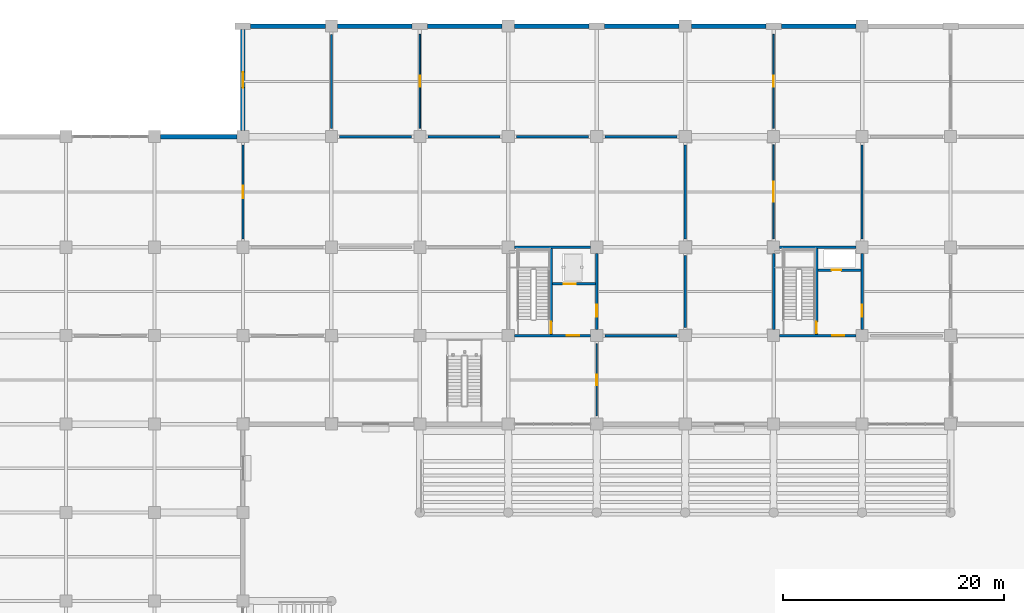
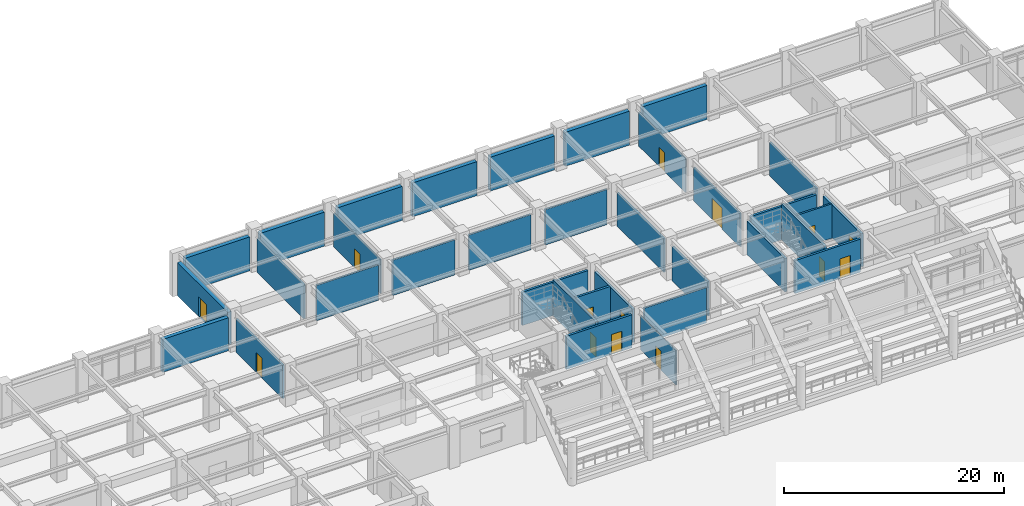
# One storey, part 90 of 125: 34 walls, 14 doors, 14 openings.
"""IFC4 building model written with IfcOpenShell, lengths in metres."""

from ifc_helpers import new_model, si_unit, direction, frame, frame_2d, origin, place, context, subcontext, project, spatial, rectangle, extrude, material, layer, layer_set, type_object, element, fill, save


model = new_model("IFC4")

# Units and contexts
model_context = context("Model", 3, precision=1e-05, world=origin(), true_north=direction((0.0, 1.0)))
body_context = subcontext(model_context, "Body", "Model", "MODEL_VIEW")
ifc_project = project(units=[si_unit("LENGTHUNIT", "METRE"), si_unit("AREAUNIT", "SQUARE_METRE"), si_unit("VOLUMEUNIT", "CUBIC_METRE"), si_unit("PLANEANGLEUNIT", "RADIAN"), si_unit("MASSUNIT", "GRAM", prefix="KILO")], contexts=[model_context])

# Site, building, storey
site_placement = place(None, origin())
site = spatial("IfcSite", under=ifc_project, at=site_placement, CompositionType="ELEMENT")
building_placement = place(site_placement, origin())
building = spatial("IfcBuilding", under=site, at=building_placement, Name="Haebicheon Civic Stadium", CompositionType="ELEMENT")
storey_placement = place(building_placement, origin())
storey = spatial("IfcBuildingStorey", under=building, at=storey_placement, Name="L01", CompositionType="ELEMENT", Elevation=0.0)

# Wall, opening, door
ifc_material_1 = material(Name="Concrete C40/50", Category="concrete")
ifc_layer_1 = layer(ifc_material_1, 0.239990234375, Name="Concrete C40/50")
ifc_layer_set_1 = layer_set([ifc_layer_1], Name="Concrete C40/50")
wall_type_1 = type_object("IfcWallType", Name="CW-SHR-240", PredefinedType="SHEAR", material=ifc_layer_set_1)
wall_1_placement = place(storey_placement, frame((88.550048828125, 160.0, 0.0), z_axis=(0.0, 0.0, 1.0), x_axis=(1.0, 0.0, 0.0)))
wall_1 = element("IfcWall", 1, at=wall_1_placement, inside=storey, type_object=wall_type_1, material=ifc_layer_set_1, Name="KC-08 L01 south core shear wall", PredefinedType="SHEAR", context=body_context, shape_type="SweptSolid", body=[
    extrude(rectangle(XDim=6.89990234375, YDim=0.239990234375, at=frame_2d((3.449951171875, 0.0))), origin(), (0.0, 0.0, 1.0), 3.659912109375),
])
opening_1_placement = place(wall_1_placement, frame((4.75, 0.0, 0.0)))
opening_1 = element("IfcOpeningElement", 2, at=opening_1_placement, cuts=wall_1, Name="Opening D-L01-KC-08-LOB", PredefinedType="OPENING", context=body_context, shape_type="SweptSolid", body=[
    extrude(rectangle(XDim=1.10009765625, YDim=2.199951171875, at=frame_2d((0.550048828125, 1.10009765625))), frame((0.0, 0.1298828125, 0.0), z_axis=(0.0, -1.0, 0.0), x_axis=(1.0, 0.0, 0.0)), (0.0, 0.0, 1.0), 0.260009765625),
])
ifc_material_2 = material(Name="Galvanised painted steel SM355", Category="steel")
door_type_1 = type_object("IfcDoorType", Name="ID-FD-1100", OperationType="NOTDEFINED", PredefinedType="DOOR", material=ifc_material_2)
door_1_placement = place(opening_1_placement, origin())
door_1 = element("IfcDoor", 3, at=door_1_placement, inside=storey, type_object=door_type_1, material=ifc_material_2, Name="L01 KC-08 lobby fire door", OperationType="SINGLE_SWING_RIGHT", OverallHeight=2.199951171875, OverallWidth=1.10009765625, PredefinedType="DOOR", context=body_context, shape_type="SweptSolid", body=[
    extrude(rectangle(XDim=1.10009765625, YDim=2.199951171875, at=frame_2d((0.550048828125, 1.10009765625))), frame((0.0, 0.02490234375, 0.0), z_axis=(0.0, -1.0, 0.0), x_axis=(1.0, 0.0, 0.0)), (0.0, 0.0, 1.0), 0.050048828125),
])
fill(opening_1, door_1)

# Wall
wall_2_placement = place(storey_placement, frame((88.550048828125, 168.0, 0.0), z_axis=(0.0, 0.0, 1.0), x_axis=(1.0, 0.0, 0.0)))
element("IfcWall", 4, at=wall_2_placement, inside=storey, type_object=wall_type_1, material=ifc_layer_set_1, Name="KC-08 L01 north core shear wall", PredefinedType="SHEAR", context=body_context, shape_type="SweptSolid", body=[
    extrude(rectangle(XDim=6.89990234375, YDim=0.239990234375, at=frame_2d((3.449951171875, 0.0))), origin(), (0.0, 0.0, 1.0), 3.7099609375),
])

# Wall, opening, door
wall_3_placement = place(storey_placement, frame((96.0, 160.550048828125, 0.0), z_axis=(0.0, 0.0, 1.0), x_axis=(0.0, 1.0, 0.0)))
wall_3 = element("IfcWall", 5, at=wall_3_placement, inside=storey, type_object=wall_type_1, material=ifc_layer_set_1, Name="KC-08 L01 east core shear wall", PredefinedType="SHEAR", context=body_context, shape_type="SweptSolid", body=[
    extrude(rectangle(XDim=6.89990234375, YDim=0.239990234375, at=frame_2d((3.449951171875, 0.0))), origin(), (0.0, 0.0, 1.0), 3.7099609375),
])
opening_2_placement = place(wall_3_placement, frame((1.14990234375, 0.0, 0.0)))
opening_2 = element("IfcOpeningElement", 6, at=opening_2_placement, cuts=wall_3, Name="Opening D-L01-KC-08-PXP", PredefinedType="OPENING", context=body_context, shape_type="SweptSolid", body=[
    extrude(rectangle(XDim=1.10009765625, YDim=2.199951171875, at=frame_2d((0.550048828125, 1.10009765625))), frame((0.0, 0.1298828125, 0.0), z_axis=(0.0, -1.0, 0.0), x_axis=(1.0, 0.0, 0.0)), (0.0, 0.0, 1.0), 0.260009765625),
])
door_2_placement = place(opening_2_placement, origin())
door_2 = element("IfcDoor", 7, at=door_2_placement, inside=storey, type_object=door_type_1, material=ifc_material_2, Name="L01 KC-08 protected exit passage fire door", OperationType="SINGLE_SWING_LEFT", OverallHeight=2.199951171875, OverallWidth=1.10009765625, PredefinedType="DOOR", context=body_context, shape_type="SweptSolid", body=[
    extrude(rectangle(XDim=1.10009765625, YDim=2.199951171875, at=frame_2d((0.550048828125, 1.10009765625))), frame((0.0, 0.02490234375, 0.0), z_axis=(0.0, -1.0, 0.0), x_axis=(1.0, 0.0, 0.0)), (0.0, 0.0, 1.0), 0.050048828125),
])
fill(opening_2, door_2)

wall_4_placement = place(storey_placement, frame((91.8798828125, 160.1201171875, 0.0), z_axis=(0.0, 0.0, 1.0), x_axis=(0.0, 1.0, 0.0)))
wall_4 = element("IfcWall", 8, at=wall_4_placement, inside=storey, type_object=wall_type_1, material=ifc_layer_set_1, Name="KC-08 L01 stair-lobby dividing shear wall", PredefinedType="SHEAR", context=body_context, shape_type="SweptSolid", body=[
    extrude(rectangle(XDim=7.759765625, YDim=0.239990234375, at=frame_2d((3.8798828125, 0.0))), origin(), (0.0, 0.0, 1.0), 4.010009765625),
])
opening_3_placement = place(wall_4_placement, frame((0.080078125, 0.0, 0.0)))
opening_3 = element("IfcOpeningElement", 9, at=opening_3_placement, cuts=wall_4, Name="Opening D-L01-KC-08-STR", PredefinedType="OPENING", context=body_context, shape_type="SweptSolid", body=[
    extrude(rectangle(XDim=1.050048828125, YDim=2.14990234375, at=frame_2d((0.52490234375, 1.074951171875))), frame((0.0, 0.1298828125, 0.0), z_axis=(0.0, -1.0, 0.0), x_axis=(1.0, 0.0, 0.0)), (0.0, 0.0, 1.0), 0.260009765625),
])
ifc_material_3 = material(Name="Galvanised painted steel SM355", Category="steel")
door_type_2 = type_object("IfcDoorType", Name="ID-FD-1050", OperationType="NOTDEFINED", PredefinedType="DOOR", material=ifc_material_3)
door_3_placement = place(opening_3_placement, origin())
door_3 = element("IfcDoor", 10, at=door_3_placement, inside=storey, type_object=door_type_2, material=ifc_material_3, Name="L01 ST-08 stairwell escape door", OperationType="SINGLE_SWING_RIGHT", OverallHeight=2.14990234375, OverallWidth=1.050048828125, PredefinedType="DOOR", context=body_context, shape_type="SweptSolid", body=[
    extrude(rectangle(XDim=1.050048828125, YDim=2.14990234375, at=frame_2d((0.52490234375, 1.074951171875))), frame((0.0, 0.02490234375, 0.0), z_axis=(0.0, -1.0, 0.0), x_axis=(1.0, 0.0, 0.0)), (0.0, 0.0, 1.0), 0.050048828125),
])
fill(opening_3, door_3)

wall_5_placement = place(storey_placement, frame((92.0, 164.679931640625, 0.0), z_axis=(0.0, 0.0, 1.0), x_axis=(1.0, 0.0, 0.0)))
wall_5 = element("IfcWall", 11, at=wall_5_placement, inside=storey, type_object=wall_type_1, material=ifc_layer_set_1, Name="KC-08 L01 lift shaft front wall", PredefinedType="SHEAR", context=body_context, shape_type="SweptSolid", body=[
    extrude(rectangle(XDim=3.8798828125, YDim=0.239990234375, at=frame_2d((1.93994140625, 0.0))), origin(), (0.0, 0.0, 1.0), 3.81005859375),
])
opening_4_placement = place(wall_5_placement, frame((1.0, 0.0, 0.0)))
opening_4 = element("IfcOpeningElement", 12, at=opening_4_placement, cuts=wall_5, Name="Opening LD-06-L01", PredefinedType="OPENING", context=body_context, shape_type="SweptSolid", body=[
    extrude(rectangle(XDim=1.10009765625, YDim=2.14990234375, at=frame_2d((0.550048828125, 1.074951171875))), frame((0.0, 0.1298828125, 0.0), z_axis=(0.0, -1.0, 0.0), x_axis=(1.0, 0.0, 0.0)), (0.0, 0.0, 1.0), 0.260009765625),
])
ifc_material_4 = material(Name="Stainless steel 316", Category="steel")
door_type_3 = type_object("IfcDoorType", Name="ID-LD-1100", OperationType="NOTDEFINED", PredefinedType="DOOR", material=ifc_material_4)
door_4_placement = place(opening_4_placement, origin())
door_4 = element("IfcDoor", 13, at=door_4_placement, inside=storey, type_object=door_type_3, material=ifc_material_4, Name="LF-06 lift landing sliding door L01", OperationType="SLIDING_TO_LEFT", OverallHeight=2.14990234375, OverallWidth=1.10009765625, PredefinedType="DOOR", context=body_context, shape_type="SweptSolid", body=[
    extrude(rectangle(XDim=1.10009765625, YDim=2.14990234375, at=frame_2d((0.550048828125, 1.074951171875))), frame((0.0, 0.02490234375, 0.0), z_axis=(0.0, -1.0, 0.0), x_axis=(1.0, 0.0, 0.0)), (0.0, 0.0, 1.0), 0.050048828125),
])
fill(opening_4, door_4)

wall_6_placement = place(storey_placement, frame((112.550048828125, 160.0, 0.0), z_axis=(0.0, 0.0, 1.0), x_axis=(1.0, 0.0, 0.0)))
wall_6 = element("IfcWall", 14, at=wall_6_placement, inside=storey, type_object=wall_type_1, material=ifc_layer_set_1, Name="KC-09 L01 south core shear wall", PredefinedType="SHEAR", context=body_context, shape_type="SweptSolid", body=[
    extrude(rectangle(XDim=6.89990234375, YDim=0.239990234375, at=frame_2d((3.449951171875, 0.0))), origin(), (0.0, 0.0, 1.0), 3.659912109375),
])
opening_5_placement = place(wall_6_placement, frame((4.75, 0.0, 0.0)))
opening_5 = element("IfcOpeningElement", 15, at=opening_5_placement, cuts=wall_6, Name="Opening D-L01-KC-09-LOB", PredefinedType="OPENING", context=body_context, shape_type="SweptSolid", body=[
    extrude(rectangle(XDim=1.10009765625, YDim=2.199951171875, at=frame_2d((0.550048828125, 1.10009765625))), frame((0.0, 0.1298828125, 0.0), z_axis=(0.0, -1.0, 0.0), x_axis=(1.0, 0.0, 0.0)), (0.0, 0.0, 1.0), 0.260009765625),
])
door_5_placement = place(opening_5_placement, origin())
door_5 = element("IfcDoor", 16, at=door_5_placement, inside=storey, type_object=door_type_1, material=ifc_material_2, Name="L01 KC-09 lobby fire door", OperationType="SINGLE_SWING_RIGHT", OverallHeight=2.199951171875, OverallWidth=1.10009765625, PredefinedType="DOOR", context=body_context, shape_type="SweptSolid", body=[
    extrude(rectangle(XDim=1.10009765625, YDim=2.199951171875, at=frame_2d((0.550048828125, 1.10009765625))), frame((0.0, 0.02490234375, 0.0), z_axis=(0.0, -1.0, 0.0), x_axis=(1.0, 0.0, 0.0)), (0.0, 0.0, 1.0), 0.050048828125),
])
fill(opening_5, door_5)

# Walls
for number, where, z_axis, x_axis, name in (
    (17, (112.550048828125, 168.0, 0.0), (0.0, 0.0, 1.0), (1.0, 0.0, 0.0), "KC-09 L01 north core shear wall"),
    (18, (112.0, 160.550048828125, 0.0), (0.0, 0.0, 1.0), (0.0, 1.0, 0.0), "KC-09 L01 west core shear wall"),
):
    element("IfcWall", number, at=place(storey_placement, frame(where, z_axis=z_axis, x_axis=x_axis)), inside=storey, type_object=wall_type_1, material=ifc_layer_set_1, Name=name, PredefinedType="SHEAR", context=body_context, shape_type="SweptSolid", body=[
        extrude(rectangle(XDim=6.89990234375, YDim=0.239990234375, at=frame_2d((3.449951171875, 0.0))), origin(), (0.0, 0.0, 1.0), 3.7099609375),
    ])

# Wall, opening, door
wall_7_placement = place(storey_placement, frame((120.0, 160.550048828125, 0.0), z_axis=(0.0, 0.0, 1.0), x_axis=(0.0, 1.0, 0.0)))
wall_7 = element("IfcWall", 19, at=wall_7_placement, inside=storey, type_object=wall_type_1, material=ifc_layer_set_1, Name="KC-09 L01 east core shear wall", PredefinedType="SHEAR", context=body_context, shape_type="SweptSolid", body=[
    extrude(rectangle(XDim=6.89990234375, YDim=0.239990234375, at=frame_2d((3.449951171875, 0.0))), origin(), (0.0, 0.0, 1.0), 3.659912109375),
])
opening_6_placement = place(wall_7_placement, frame((1.14990234375, 0.0, 0.0)))
opening_6 = element("IfcOpeningElement", 20, at=opening_6_placement, cuts=wall_7, Name="Opening D-L01-KC-09-PXP", PredefinedType="OPENING", context=body_context, shape_type="SweptSolid", body=[
    extrude(rectangle(XDim=1.10009765625, YDim=2.199951171875, at=frame_2d((0.550048828125, 1.10009765625))), frame((0.0, 0.1298828125, 0.0), z_axis=(0.0, -1.0, 0.0), x_axis=(1.0, 0.0, 0.0)), (0.0, 0.0, 1.0), 0.260009765625),
])
door_6_placement = place(opening_6_placement, origin())
door_6 = element("IfcDoor", 21, at=door_6_placement, inside=storey, type_object=door_type_1, material=ifc_material_2, Name="L01 KC-09 protected exit passage fire door", OperationType="SINGLE_SWING_LEFT", OverallHeight=2.199951171875, OverallWidth=1.10009765625, PredefinedType="DOOR", context=body_context, shape_type="SweptSolid", body=[
    extrude(rectangle(XDim=1.10009765625, YDim=2.199951171875, at=frame_2d((0.550048828125, 1.10009765625))), frame((0.0, 0.02490234375, 0.0), z_axis=(0.0, -1.0, 0.0), x_axis=(1.0, 0.0, 0.0)), (0.0, 0.0, 1.0), 0.050048828125),
])
fill(opening_6, door_6)

wall_8_placement = place(storey_placement, frame((115.8798828125, 160.1201171875, 0.0), z_axis=(0.0, 0.0, 1.0), x_axis=(0.0, 1.0, 0.0)))
wall_8 = element("IfcWall", 22, at=wall_8_placement, inside=storey, type_object=wall_type_1, material=ifc_layer_set_1, Name="KC-09 L01 stair-lobby dividing shear wall", PredefinedType="SHEAR", context=body_context, shape_type="SweptSolid", body=[
    extrude(rectangle(XDim=7.759765625, YDim=0.239990234375, at=frame_2d((3.8798828125, 0.0))), origin(), (0.0, 0.0, 1.0), 4.010009765625),
])
opening_7_placement = place(wall_8_placement, frame((0.080078125, 0.0, 0.0)))
opening_7 = element("IfcOpeningElement", 23, at=opening_7_placement, cuts=wall_8, Name="Opening D-L01-KC-09-STR", PredefinedType="OPENING", context=body_context, shape_type="SweptSolid", body=[
    extrude(rectangle(XDim=1.050048828125, YDim=2.14990234375, at=frame_2d((0.52490234375, 1.074951171875))), frame((0.0, 0.1298828125, 0.0), z_axis=(0.0, -1.0, 0.0), x_axis=(1.0, 0.0, 0.0)), (0.0, 0.0, 1.0), 0.260009765625),
])
door_7_placement = place(opening_7_placement, origin())
door_7 = element("IfcDoor", 24, at=door_7_placement, inside=storey, type_object=door_type_2, material=ifc_material_3, Name="L01 ST-09 stairwell escape door", OperationType="SINGLE_SWING_RIGHT", OverallHeight=2.14990234375, OverallWidth=1.050048828125, PredefinedType="DOOR", context=body_context, shape_type="SweptSolid", body=[
    extrude(rectangle(XDim=1.050048828125, YDim=2.14990234375, at=frame_2d((0.52490234375, 1.074951171875))), frame((0.0, 0.02490234375, 0.0), z_axis=(0.0, -1.0, 0.0), x_axis=(1.0, 0.0, 0.0)), (0.0, 0.0, 1.0), 0.050048828125),
])
fill(opening_7, door_7)

# Wall
ifc_material_5 = material(Name="Concrete C40/50", Category="concrete")
ifc_layer_2 = layer(ifc_material_5, 0.39990234375, Name="Concrete C40/50")
ifc_layer_set_2 = layer_set([ifc_layer_2], Name="Concrete C40/50")
wall_type_2 = type_object("IfcWallType", Name="EW-BM-400", PredefinedType="SOLIDWALL", material=ifc_layer_set_2)
wall_9_placement = place(storey_placement, frame((56.550048828125, 178.0, 0.0), z_axis=(0.0, 0.0, 1.0), x_axis=(1.0, 0.0, 0.0)))
element("IfcWall", 25, at=wall_9_placement, inside=storey, type_object=wall_type_2, material=ifc_layer_set_2, Name="L01 board-marked concrete facade wall 07-22-N", PredefinedType="SOLIDWALL", context=body_context, shape_type="SweptSolid", body=[
    extrude(rectangle(XDim=6.89990234375, YDim=0.39990234375, at=frame_2d((3.449951171875, 0.0))), origin(), (0.0, 0.0, 1.0), 3.659912109375),
])

# Wall, opening, door
wall_10_placement = place(storey_placement, frame((64.0, 178.550048828125, 0.0), z_axis=(0.0, 0.0, 1.0), x_axis=(0.0, 1.0, 0.0)))
wall_10 = element("IfcWall", 26, at=wall_10_placement, inside=storey, type_object=wall_type_2, material=ifc_layer_set_2, Name="L01 board-marked concrete facade wall 08-22-W", PredefinedType="SOLIDWALL", context=body_context, shape_type="SweptSolid", body=[
    extrude(rectangle(XDim=9.14990234375, YDim=0.39990234375, at=frame_2d((4.574951171875, 0.0))), origin(), (0.0, 0.0, 1.0), 3.659912109375),
])
opening_8_placement = place(wall_10_placement, frame((3.875, 0.0, 0.0)))
opening_8 = element("IfcOpeningElement", 27, at=opening_8_placement, cuts=wall_10, Name="Opening DX05", PredefinedType="OPENING", context=body_context, shape_type="SweptSolid", body=[
    extrude(rectangle(XDim=1.39990234375, YDim=2.199951171875, at=frame_2d((0.699951171875, 1.10009765625))), frame((0.0, 0.2099609375, 0.0), z_axis=(0.0, -1.0, 0.0), x_axis=(1.0, 0.0, 0.0)), (0.0, 0.0, 1.0), 0.419921875),
])
ifc_material_6 = material(Name="Galvanised painted steel SM355", Category="steel")
door_type_4 = type_object("IfcDoorType", Name="ED-EXIT-1400", OperationType="NOTDEFINED", PredefinedType="DOOR", material=ifc_material_6)
door_8_placement = place(opening_8_placement, origin())
door_8 = element("IfcDoor", 28, at=door_8_placement, inside=storey, type_object=door_type_4, material=ifc_material_6, Name="Protected exit passage final exit door DX05", OperationType="SINGLE_SWING_LEFT", OverallHeight=2.199951171875, OverallWidth=1.39990234375, PredefinedType="DOOR", context=body_context, shape_type="SweptSolid", body=[
    extrude(rectangle(XDim=1.39990234375, YDim=2.199951171875, at=frame_2d((0.699951171875, 1.10009765625))), frame((0.0, 0.02490234375, 0.0), z_axis=(0.0, -1.0, 0.0), x_axis=(1.0, 0.0, 0.0)), (0.0, 0.0, 1.0), 0.050048828125),
])
fill(opening_8, door_8)

# Walls
ifc_material_7 = material(Name="Concrete C40/50", Category="concrete")
ifc_layer_3 = layer(ifc_material_7, 0.419921875, Name="Concrete C40/50")
ifc_layer_set_3 = layer_set([ifc_layer_3], Name="Concrete C40/50")
wall_type_3 = type_object("IfcWallType", Name="EW-BM-420", PredefinedType="SOLIDWALL", material=ifc_layer_set_3)
for number, where, z_axis, x_axis, name in (
    (29, (64.699951171875, 188.0, 0.0), (0.0, 0.0, 1.0), (1.0, 0.0, 0.0), "L01 solid fire-rated exterior wall 08-23-N"),
    (30, (72.550048828125, 188.0, 0.0), (0.0, 0.0, 1.0), (1.0, 0.0, 0.0), "L01 solid fire-rated exterior wall 09-23-N"),
    (31, (80.699951171875, 188.0, 0.0), (0.0, 0.0, 1.0), (1.0, 0.0, 0.0), "L01 solid fire-rated exterior wall 10-23-N"),
    (32, (88.550048828125, 188.0, 0.0), (0.0, 0.0, 1.0), (1.0, 0.0, 0.0), "L01 solid fire-rated exterior wall 11-23-N"),
    (33, (96.699951171875, 188.0, 0.0), (0.0, 0.0, 1.0), (1.0, 0.0, 0.0), "L01 solid fire-rated exterior wall 12-23-N"),
    (34, (104.550048828125, 188.0, 0.0), (0.0, 0.0, 1.0), (1.0, 0.0, 0.0), "L01 solid fire-rated exterior wall 13-23-N"),
    (35, (112.699951171875, 188.0, 0.0), (0.0, 0.0, 1.0), (1.0, 0.0, 0.0), "L01 solid fire-rated exterior wall 14-23-N"),
):
    element("IfcWall", number, at=place(storey_placement, frame(where, z_axis=z_axis, x_axis=x_axis)), inside=storey, type_object=wall_type_3, material=ifc_layer_set_3, Name=name, PredefinedType="SOLIDWALL", context=body_context, shape_type="SweptSolid", body=[
        extrude(rectangle(XDim=6.75, YDim=0.419921875, at=frame_2d((3.375, 0.0))), origin(), (0.0, 0.0, 1.0), 3.77001953125),
    ])

# Wall, opening, door
ifc_material_8 = material(Name="Concrete C35/45", Category="concrete")
ifc_layer_4 = layer(ifc_material_8, 0.199951171875, Name="Concrete C35/45")
ifc_layer_set_4 = layer_set([ifc_layer_4], Name="Concrete C35/45")
wall_type_4 = type_object("IfcWallType", Name="IW-FIR-200", PredefinedType="PARTITIONING", material=ifc_layer_set_4)
wall_11_placement = place(storey_placement, frame((116.0, 165.919921875, 0.0), z_axis=(0.0, 0.0, 1.0), x_axis=(1.0, 0.0, 0.0)))
wall_11 = element("IfcWall", 36, at=wall_11_placement, inside=storey, type_object=wall_type_4, material=ifc_layer_set_4, Name="KC-09 L01 service riser wall", PredefinedType="PARTITIONING", context=body_context, shape_type="SweptSolid", body=[
    extrude(rectangle(XDim=3.8798828125, YDim=0.199951171875, at=frame_2d((1.93994140625, 0.0))), origin(), (0.0, 0.0, 1.0), 3.81005859375),
])
opening_9_placement = place(wall_11_placement, frame((1.25, 0.0, 0.0)))
opening_9 = element("IfcOpeningElement", 37, at=opening_9_placement, cuts=wall_11, Name="Opening D-L01-KC-09-RSR", PredefinedType="OPENING", context=body_context, shape_type="SweptSolid", body=[
    extrude(rectangle(XDim=0.85009765625, YDim=2.050048828125, at=frame_2d((0.425048828125, 1.02490234375))), frame((0.0, 0.10986328125, 0.0), z_axis=(0.0, -1.0, 0.0), x_axis=(1.0, 0.0, 0.0)), (0.0, 0.0, 1.0), 0.219970703125),
])
ifc_material_9 = material(Name="Galvanised painted steel SM355", Category="steel")
door_type_5 = type_object("IfcDoorType", Name="ID-RSR-0850", OperationType="NOTDEFINED", PredefinedType="TRAPDOOR", material=ifc_material_9)
door_9_placement = place(opening_9_placement, origin())
door_9 = element("IfcDoor", 38, at=door_9_placement, inside=storey, type_object=door_type_5, material=ifc_material_9, Name="L01 KC-09 riser access door", OperationType="SINGLE_SWING_LEFT", OverallHeight=2.050048828125, OverallWidth=0.85009765625, PredefinedType="TRAPDOOR", context=body_context, shape_type="SweptSolid", body=[
    extrude(rectangle(XDim=0.85009765625, YDim=2.050048828125, at=frame_2d((0.425048828125, 1.02490234375))), frame((0.0, 0.02490234375, 0.0), z_axis=(0.0, -1.0, 0.0), x_axis=(1.0, 0.0, 0.0)), (0.0, 0.0, 1.0), 0.050048828125),
])
fill(opening_9, door_9)

wall_12_placement = place(storey_placement, frame((64.0, 168.75, 0.0), z_axis=(0.0, 0.0, 1.0), x_axis=(0.0, 1.0, 0.0)))
wall_12 = element("IfcWall", 39, at=wall_12_placement, inside=storey, type_object=wall_type_4, material=ifc_layer_set_4, Name="L01 KC-08 protected exit passage EI 120 wall 01", PredefinedType="PARTITIONING", context=body_context, shape_type="SweptSolid", body=[
    extrude(rectangle(XDim=8.5, YDim=0.199951171875, at=frame_2d((4.25, 0.0))), origin(), (0.0, 0.0, 1.0), 3.7099609375),
])
opening_10_placement = place(wall_12_placement, frame((3.699951171875, 0.0, 0.0)))
opening_10 = element("IfcOpeningElement", 40, at=opening_10_placement, cuts=wall_12, Name="Opening D-L01-PXP-05", PredefinedType="OPENING", context=body_context, shape_type="SweptSolid", body=[
    extrude(rectangle(XDim=1.10009765625, YDim=2.199951171875, at=frame_2d((0.550048828125, 1.10009765625))), frame((0.0, 0.10986328125, 0.0), z_axis=(0.0, -1.0, 0.0), x_axis=(1.0, 0.0, 0.0)), (0.0, 0.0, 1.0), 0.219970703125),
])
door_10_placement = place(opening_10_placement, origin())
door_10 = element("IfcDoor", 41, at=door_10_placement, inside=storey, type_object=door_type_1, material=ifc_material_2, Name="L01 KC-08 protected exit passage lobby fire door", OperationType="SINGLE_SWING_LEFT", OverallHeight=2.199951171875, OverallWidth=1.10009765625, PredefinedType="DOOR", context=body_context, shape_type="SweptSolid", body=[
    extrude(rectangle(XDim=1.10009765625, YDim=2.199951171875, at=frame_2d((0.550048828125, 1.10009765625))), frame((0.0, 0.02490234375, 0.0), z_axis=(0.0, -1.0, 0.0), x_axis=(1.0, 0.0, 0.0)), (0.0, 0.0, 1.0), 0.050048828125),
])
fill(opening_10, door_10)

# Walls
wall_13_placement = place(storey_placement, frame((72.0, 178.75, 0.0), z_axis=(0.0, 0.0, 1.0), x_axis=(0.0, 1.0, 0.0)))
element("IfcWall", 42, at=wall_13_placement, inside=storey, type_object=wall_type_4, material=ifc_layer_set_4, Name="L01 KC-08 protected exit passage EI 120 wall 03", PredefinedType="PARTITIONING", context=body_context, shape_type="SweptSolid", body=[
    extrude(rectangle(XDim=8.5, YDim=0.199951171875, at=frame_2d((4.25, 0.0))), origin(), (0.0, 0.0, 1.0), 3.77001953125),
])
for number, where, z_axis, x_axis, name in (
    (43, (72.75, 178.0, 0.0), (0.0, 0.0, 1.0), (1.0, 0.0, 0.0), "L01 KC-08 protected exit passage EI 120 wall 05"),
    (44, (80.75, 178.0, 0.0), (0.0, 0.0, 1.0), (1.0, 0.0, 0.0), "L01 KC-08 protected exit passage EI 120 wall 07"),
    (45, (88.75, 178.0, 0.0), (0.0, 0.0, 1.0), (1.0, 0.0, 0.0), "L01 KC-08 protected exit passage EI 120 wall 08"),
):
    element("IfcWall", number, at=place(storey_placement, frame(where, z_axis=z_axis, x_axis=x_axis)), inside=storey, type_object=wall_type_4, material=ifc_layer_set_4, Name=name, PredefinedType="PARTITIONING", context=body_context, shape_type="SweptSolid", body=[
        extrude(rectangle(XDim=6.5, YDim=0.199951171875, at=frame_2d((3.25, 0.0))), origin(), (0.0, 0.0, 1.0), 3.909912109375),
    ])
wall_14_placement = place(storey_placement, frame((104.0, 160.75, 0.0), z_axis=(0.0, 0.0, 1.0), x_axis=(0.0, 1.0, 0.0)))
element("IfcWall", 46, at=wall_14_placement, inside=storey, type_object=wall_type_4, material=ifc_layer_set_4, Name="L01 KC-08 protected exit passage EI 120 wall 09", PredefinedType="PARTITIONING", context=body_context, shape_type="SweptSolid", body=[
    extrude(rectangle(XDim=6.5, YDim=0.199951171875, at=frame_2d((3.25, 0.0))), origin(), (0.0, 0.0, 1.0), 3.81005859375),
])
wall_15_placement = place(storey_placement, frame((96.75, 160.0, 0.0), z_axis=(0.0, 0.0, 1.0), x_axis=(1.0, 0.0, 0.0)))
element("IfcWall", 47, at=wall_15_placement, inside=storey, type_object=wall_type_4, material=ifc_layer_set_4, Name="L01 KC-08 protected exit passage EI 120 wall 10", PredefinedType="PARTITIONING", context=body_context, shape_type="SweptSolid", body=[
    extrude(rectangle(XDim=6.5, YDim=0.199951171875, at=frame_2d((3.25, 0.0))), origin(), (0.0, 0.0, 1.0), 3.909912109375),
])
wall_16_placement = place(storey_placement, frame((104.0, 168.75, 0.0), z_axis=(0.0, 0.0, 1.0), x_axis=(0.0, 1.0, 0.0)))
element("IfcWall", 48, at=wall_16_placement, inside=storey, type_object=wall_type_4, material=ifc_layer_set_4, Name="L01 KC-08 protected exit passage EI 120 wall 11", PredefinedType="PARTITIONING", context=body_context, shape_type="SweptSolid", body=[
    extrude(rectangle(XDim=8.5, YDim=0.199951171875, at=frame_2d((4.25, 0.0))), origin(), (0.0, 0.0, 1.0), 3.7099609375),
])
wall_17_placement = place(storey_placement, frame((96.75, 178.0, 0.0), z_axis=(0.0, 0.0, 1.0), x_axis=(1.0, 0.0, 0.0)))
element("IfcWall", 49, at=wall_17_placement, inside=storey, type_object=wall_type_4, material=ifc_layer_set_4, Name="L01 KC-08 protected exit passage EI 120 wall 12", PredefinedType="PARTITIONING", context=body_context, shape_type="SweptSolid", body=[
    extrude(rectangle(XDim=6.5, YDim=0.199951171875, at=frame_2d((3.25, 0.0))), origin(), (0.0, 0.0, 1.0), 3.909912109375),
])
wall_18_placement = place(storey_placement, frame((120.0, 168.75, 0.0), z_axis=(0.0, 0.0, 1.0), x_axis=(0.0, 1.0, 0.0)))
element("IfcWall", 50, at=wall_18_placement, inside=storey, type_object=wall_type_4, material=ifc_layer_set_4, Name="L01 KC-09 protected exit passage EI 120 wall 03", PredefinedType="PARTITIONING", context=body_context, shape_type="SweptSolid", body=[
    extrude(rectangle(XDim=8.5, YDim=0.199951171875, at=frame_2d((4.25, 0.0))), origin(), (0.0, 0.0, 1.0), 3.7099609375),
])

# Wall, opening, door
ifc_material_10 = material(Name="Anodised aluminium and laminated glass", Category="aluminium")
ifc_layer_5 = layer(ifc_material_10, 0.10009765625, Name="Anodised aluminium and laminated glass")
ifc_layer_set_5 = layer_set([ifc_layer_5], Name="Anodised aluminium and laminated glass")
wall_type_5 = type_object("IfcWallType", Name="IW-PRT-100", PredefinedType="PARTITIONING", material=ifc_layer_set_5)
wall_19_placement = place(storey_placement, frame((96.0, 152.75, 0.0), z_axis=(0.0, 0.0, 1.0), x_axis=(0.0, 1.0, 0.0)))
wall_19 = element("IfcWall", 51, at=wall_19_placement, inside=storey, type_object=wall_type_5, material=ifc_layer_set_5, Name="L01 Food and Beverage Kiosk partition wall", PredefinedType="PARTITIONING", context=body_context, shape_type="SweptSolid", body=[
    extrude(rectangle(XDim=6.5, YDim=0.10009765625, at=frame_2d((3.25, 0.0))), origin(), (0.0, 0.0, 1.0), 3.81005859375),
])
opening_11_placement = place(wall_19_placement, frame((2.77490234375, 0.0, 0.0)))
opening_11 = element("IfcOpeningElement", 52, at=opening_11_placement, cuts=wall_19, Name="Opening D-L01-131", PredefinedType="OPENING", context=body_context, shape_type="SweptSolid", body=[
    extrude(rectangle(XDim=0.949951171875, YDim=2.10009765625, at=frame_2d((0.47509765625, 1.050048828125))), frame((0.0, 0.06005859375, 0.0), z_axis=(0.0, -1.0, 0.0), x_axis=(1.0, 0.0, 0.0)), (0.0, 0.0, 1.0), 0.1201171875),
])
ifc_material_11 = material(Name="Engineered hardwood timber", Category="wood")
door_type_6 = type_object("IfcDoorType", Name="ID-RM-0950", OperationType="NOTDEFINED", PredefinedType="DOOR", material=ifc_material_11)
door_11_placement = place(opening_11_placement, origin())
door_11 = element("IfcDoor", 53, at=door_11_placement, inside=storey, type_object=door_type_6, material=ifc_material_11, Name="L01 Food and Beverage Kiosk entrance door D-L01-131", OperationType="SINGLE_SWING_RIGHT", OverallHeight=2.10009765625, OverallWidth=0.949951171875, PredefinedType="DOOR", context=body_context, shape_type="SweptSolid", body=[
    extrude(rectangle(XDim=0.949951171875, YDim=2.10009765625, at=frame_2d((0.47509765625, 1.050048828125))), frame((0.0, 0.02490234375, 0.0), z_axis=(0.0, -1.0, 0.0), x_axis=(1.0, 0.0, 0.0)), (0.0, 0.0, 1.0), 0.050048828125),
])
fill(opening_11, door_11)

ifc_material_12 = material(Name="Gypsum plasterboard on steel studs", Category="gypsum")
ifc_layer_6 = layer(ifc_material_12, 0.1201171875, Name="Gypsum plasterboard on steel studs")
ifc_layer_set_6 = layer_set([ifc_layer_6], Name="Gypsum plasterboard on steel studs")
wall_type_6 = type_object("IfcWallType", Name="IW-PRT-120", PredefinedType="PARTITIONING", material=ifc_layer_set_6)
wall_20_placement = place(storey_placement, frame((80.0, 178.75, 0.0), z_axis=(0.0, 0.0, 1.0), x_axis=(0.0, 1.0, 0.0)))
wall_20 = element("IfcWall", 54, at=wall_20_placement, inside=storey, type_object=wall_type_6, material=ifc_layer_set_6, Name="L01 Steward Operations Briefing Room partition wall", PredefinedType="PARTITIONING", context=body_context, shape_type="SweptSolid", body=[
    extrude(rectangle(XDim=8.5, YDim=0.1201171875, at=frame_2d((4.25, 0.0))), origin(), (0.0, 0.0, 1.0), 3.77001953125),
])
opening_12_placement = place(wall_20_placement, frame((3.75, 0.0, 0.0)))
opening_12 = element("IfcOpeningElement", 55, at=opening_12_placement, cuts=wall_20, Name="Opening D-L01-130", PredefinedType="OPENING", context=body_context, shape_type="SweptSolid", body=[
    extrude(rectangle(XDim=1.0, YDim=2.10009765625, at=frame_2d((0.5, 1.050048828125))), frame((0.0, 0.070068359375, 0.0), z_axis=(0.0, -1.0, 0.0), x_axis=(1.0, 0.0, 0.0)), (0.0, 0.0, 1.0), 0.14013671875),
])
ifc_material_13 = material(Name="Engineered hardwood timber", Category="wood")
door_type_7 = type_object("IfcDoorType", Name="ID-RM-1000", OperationType="NOTDEFINED", PredefinedType="DOOR", material=ifc_material_13)
door_12_placement = place(opening_12_placement, origin())
door_12 = element("IfcDoor", 56, at=door_12_placement, inside=storey, type_object=door_type_7, material=ifc_material_13, Name="L01 Steward Operations Briefing Room entrance door D-L01-130", OperationType="SINGLE_SWING_LEFT", OverallHeight=2.10009765625, OverallWidth=1.0, PredefinedType="DOOR", context=body_context, shape_type="SweptSolid", body=[
    extrude(rectangle(XDim=1.0, YDim=2.10009765625, at=frame_2d((0.5, 1.050048828125))), frame((0.0, 0.02490234375, 0.0), z_axis=(0.0, -1.0, 0.0), x_axis=(1.0, 0.0, 0.0)), (0.0, 0.0, 1.0), 0.050048828125),
])
fill(opening_12, door_12)

ifc_material_14 = material(Name="Gypsum plasterboard on steel studs", Category="gypsum")
ifc_layer_7 = layer(ifc_material_14, 0.1298828125, Name="Gypsum plasterboard on steel studs")
ifc_layer_set_7 = layer_set([ifc_layer_7], Name="Gypsum plasterboard on steel studs")
wall_type_7 = type_object("IfcWallType", Name="IW-PRT-130", PredefinedType="PARTITIONING", material=ifc_layer_set_7)
wall_21_placement = place(storey_placement, frame((112.0, 178.75, 0.0), z_axis=(0.0, 0.0, 1.0), x_axis=(0.0, 1.0, 0.0)))
wall_21 = element("IfcWall", 57, at=wall_21_placement, inside=storey, type_object=wall_type_7, material=ifc_layer_set_7, Name="L01 Steward Operations Briefing Room partition wall", PredefinedType="PARTITIONING", context=body_context, shape_type="SweptSolid", body=[
    extrude(rectangle(XDim=8.5, YDim=0.1298828125, at=frame_2d((4.25, 0.0))), origin(), (0.0, 0.0, 1.0), 3.77001953125),
])
opening_13_placement = place(wall_21_placement, frame((3.75, 0.0, 0.0)))
opening_13 = element("IfcOpeningElement", 58, at=opening_13_placement, cuts=wall_21, Name="Opening D-L01-132", PredefinedType="OPENING", context=body_context, shape_type="SweptSolid", body=[
    extrude(rectangle(XDim=1.0, YDim=2.10009765625, at=frame_2d((0.5, 1.050048828125))), frame((0.0, 0.074951171875, 0.0), z_axis=(0.0, -1.0, 0.0), x_axis=(1.0, 0.0, 0.0)), (0.0, 0.0, 1.0), 0.14990234375),
])
door_13_placement = place(opening_13_placement, origin())
door_13 = element("IfcDoor", 59, at=door_13_placement, inside=storey, type_object=door_type_7, material=ifc_material_13, Name="L01 Steward Operations Briefing Room entrance door D-L01-132", OperationType="SINGLE_SWING_LEFT", OverallHeight=2.10009765625, OverallWidth=1.0, PredefinedType="DOOR", context=body_context, shape_type="SweptSolid", body=[
    extrude(rectangle(XDim=1.0, YDim=2.10009765625, at=frame_2d((0.5, 1.050048828125))), frame((0.0, 0.02490234375, 0.0), z_axis=(0.0, -1.0, 0.0), x_axis=(1.0, 0.0, 0.0)), (0.0, 0.0, 1.0), 0.050048828125),
])
fill(opening_13, door_13)

ifc_material_15 = material(Name="Gypsum plasterboard on steel studs", Category="gypsum")
ifc_layer_8 = layer(ifc_material_15, 0.14990234375, Name="Gypsum plasterboard on steel studs")
ifc_layer_set_8 = layer_set([ifc_layer_8], Name="Gypsum plasterboard on steel studs")
wall_type_8 = type_object("IfcWallType", Name="IW-PRT-150", PredefinedType="PARTITIONING", material=ifc_layer_set_8)
wall_22_placement = place(storey_placement, frame((112.0, 168.75, 0.0), z_axis=(0.0, 0.0, 1.0), x_axis=(0.0, 1.0, 0.0)))
wall_22 = element("IfcWall", 60, at=wall_22_placement, inside=storey, type_object=wall_type_8, material=ifc_layer_set_8, Name="L01 Supporters' Dining Hall partition wall", PredefinedType="PARTITIONING", context=body_context, shape_type="SweptSolid", body=[
    extrude(rectangle(XDim=8.5, YDim=0.14990234375, at=frame_2d((4.25, 0.0))), origin(), (0.0, 0.0, 1.0), 3.7099609375),
])
opening_14_placement = place(wall_22_placement, frame((3.35009765625, 0.0, 0.0)))
opening_14 = element("IfcOpeningElement", 61, at=opening_14_placement, cuts=wall_22, Name="Opening D-L01-133", PredefinedType="OPENING", context=body_context, shape_type="SweptSolid", body=[
    extrude(rectangle(XDim=1.800048828125, YDim=2.300048828125, at=frame_2d((0.89990234375, 1.14990234375))), frame((0.0, 0.0849609375, 0.0), z_axis=(0.0, -1.0, 0.0), x_axis=(1.0, 0.0, 0.0)), (0.0, 0.0, 1.0), 0.169921875),
])
ifc_material_16 = material(Name="Galvanised painted steel SM355", Category="steel")
door_type_8 = type_object("IfcDoorType", Name="ID-DBL-1800", OperationType="NOTDEFINED", PredefinedType="DOOR", material=ifc_material_16)
door_14_placement = place(opening_14_placement, origin())
door_14 = element("IfcDoor", 62, at=door_14_placement, inside=storey, type_object=door_type_8, material=ifc_material_16, Name="L01 Supporters' Dining Hall entrance door D-L01-133", OperationType="DOUBLE_SWING_LEFT", OverallHeight=2.300048828125, OverallWidth=1.800048828125, PredefinedType="DOOR", context=body_context, shape_type="SweptSolid", body=[
    extrude(rectangle(XDim=1.800048828125, YDim=2.300048828125, at=frame_2d((0.89990234375, 1.14990234375))), frame((0.0, 0.02490234375, 0.0), z_axis=(0.0, -1.0, 0.0), x_axis=(1.0, 0.0, 0.0)), (0.0, 0.0, 1.0), 0.050048828125),
])
fill(opening_14, door_14)

save(model, "model.ifc")
